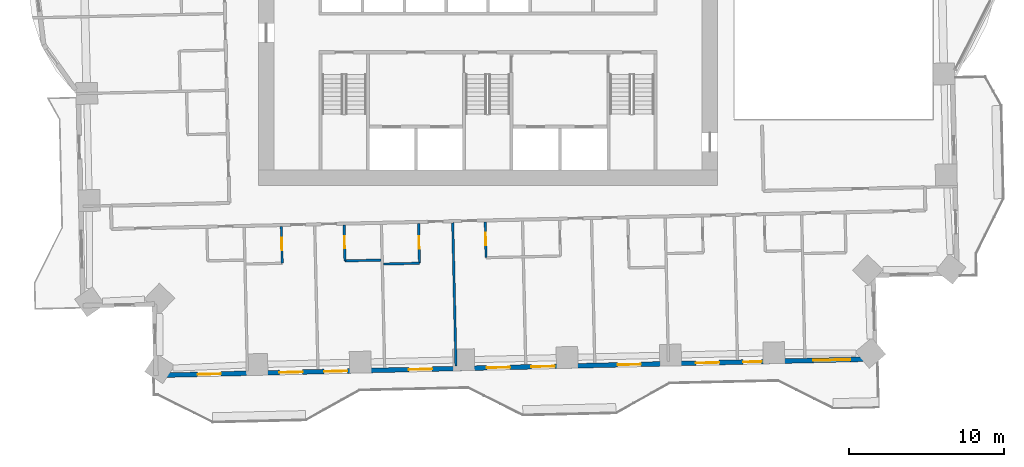
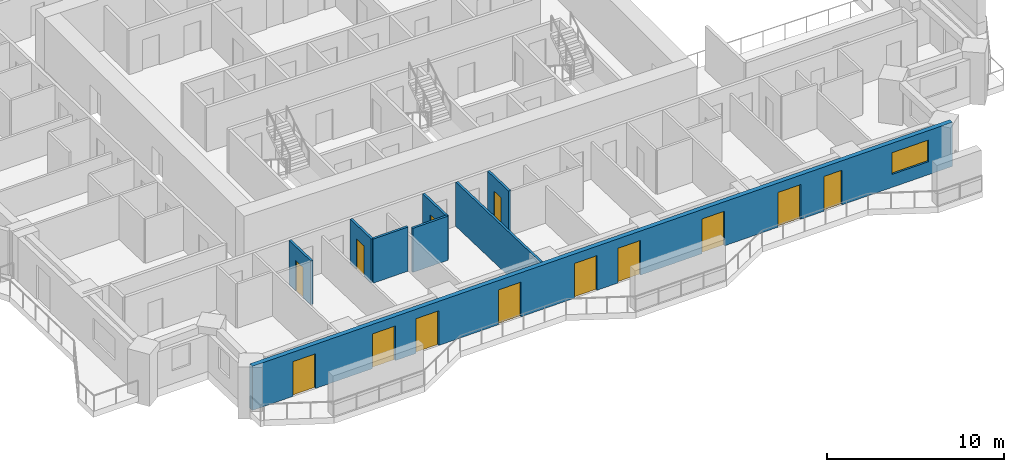
# One storey, part 6 of 17: 13 doors, 8 walls, 1 window, 14 openings.
"""IFC4 building model written with IfcOpenShell, lengths in metres."""

from ifc_helpers import new_model, si_unit, direction, frame, frame_2d, origin, place, context, subcontext, project, spatial, rectangle, extrude, material, layer, layer_set, type_object, element, fill, save


model = new_model("IFC4")

# Units and contexts
model_context = context("Model", 3, precision=1e-05, world=origin(), true_north=direction((0.0, 1.0)))
body_context = subcontext(model_context, "Body", "Model", "MODEL_VIEW")
ifc_project = project(units=[si_unit("LENGTHUNIT", "METRE"), si_unit("AREAUNIT", "SQUARE_METRE"), si_unit("VOLUMEUNIT", "CUBIC_METRE"), si_unit("PLANEANGLEUNIT", "RADIAN"), si_unit("MASSUNIT", "GRAM", prefix="KILO")], contexts=[model_context])

# Site, building, storey
site_placement = place(None, origin())
site = spatial("IfcSite", under=ifc_project, at=site_placement, CompositionType="ELEMENT")
building_placement = place(site_placement, origin())
building = spatial("IfcBuilding", under=site, at=building_placement, Name="Mangrove Gate Tower", CompositionType="ELEMENT")
storey_placement = place(building_placement, frame((0.0, 0.0, 93.699951171875)))
storey = spatial("IfcBuildingStorey", under=building, at=storey_placement, Name="L23", CompositionType="ELEMENT", Elevation=93.699951171875)

# Wall, openings, doors, window
ifc_material_1 = material(Name="Limestone", Category="masonry")
ifc_layer_1 = layer(ifc_material_1, 0.0400390625, Name="Limestone cladding")
ifc_material_2 = material(Name="Ventilated air gap")
ifc_layer_2 = layer(ifc_material_2, 0.0400390625, Name="Ventilated cavity")
ifc_material_3 = material(Name="Mineral wool insulation")
ifc_layer_3 = layer(ifc_material_3, 0.06005859375, Name="Insulation")
ifc_material_4 = material(Name="Breather membrane")
ifc_layer_4 = layer(ifc_material_4, 0.001953125, Name="Breather membrane")
ifc_material_5 = material(Name="Concrete C20/25 blockwork", Category="masonry")
ifc_layer_5 = layer(ifc_material_5, 0.14990234375, Name="Blockwork backing wall")
ifc_material_6 = material(Name="Gypsum plaster")
ifc_layer_6 = layer(ifc_material_6, 0.008056640625, Name="Internal plaster")
ifc_layer_set_1 = layer_set([ifc_layer_1, ifc_layer_2, ifc_layer_3, ifc_layer_4, ifc_layer_5, ifc_layer_6], Name="External wall 300 limestone cladding")
wall_type_1 = type_object("IfcWallType", Name="External wall 300 limestone cladding", PredefinedType="SOLIDWALL", material=ifc_layer_set_1)
wall_1_placement = place(storey_placement, frame((-21.408935546875, -24.029052734375, 0.0), z_axis=(0.0, 0.0, 1.0), x_axis=(0.999742634032, 0.022686244721, 0.0)))
wall_1 = element("IfcWall", 1, at=wall_1_placement, inside=storey, type_object=wall_type_1, Name="WALL-L23-S13", PredefinedType="SOLIDWALL", context=body_context, shape_type="SweptSolid", body=[
    extrude(rectangle(XDim=46.371826171875, YDim=0.300048828125, at=frame_2d((23.18603515625, 0.0))), origin(), (0.0, 0.0, 1.0), 3.050048828125),
])
opening_1_placement = place(wall_1_placement, frame((2.68603515625, 0.0, 0.0)))
opening_1 = element("IfcOpeningElement", 2, at=opening_1_placement, cuts=wall_1, Name="Opening BD1", PredefinedType="OPENING", context=body_context, shape_type="SweptSolid", body=[
    extrude(rectangle(XDim=1.5, YDim=2.39990234375, at=frame_2d((0.75, 1.199951171875))), frame((0.0, 0.159912109375, 0.0), z_axis=(0.0, -1.0, 0.0), x_axis=(1.0, 0.0, 0.0)), (0.0, 0.0, 1.0), 0.320068359375),
])
opening_2_placement = place(wall_1_placement, frame((7.958984375, 0.0, 0.0)))
opening_2 = element("IfcOpeningElement", 3, at=opening_2_placement, cuts=wall_1, Name="Opening BD1", PredefinedType="OPENING", context=body_context, shape_type="SweptSolid", body=[
    extrude(rectangle(XDim=1.5, YDim=2.39990234375, at=frame_2d((0.75, 1.199951171875))), frame((0.0, 0.159912109375, 0.0), z_axis=(0.0, -1.0, 0.0), x_axis=(1.0, 0.0, 0.0)), (0.0, 0.0, 1.0), 0.320068359375),
])
opening_3_placement = place(wall_1_placement, frame((10.842041015625, 0.0, 0.0)))
opening_3 = element("IfcOpeningElement", 4, at=opening_3_placement, cuts=wall_1, Name="Opening BD1", PredefinedType="OPENING", context=body_context, shape_type="SweptSolid", body=[
    extrude(rectangle(XDim=1.5, YDim=2.39990234375, at=frame_2d((0.75, 1.199951171875))), frame((0.0, 0.159912109375, 0.0), z_axis=(0.0, -1.0, 0.0), x_axis=(1.0, 0.0, 0.0)), (0.0, 0.0, 1.0), 0.320068359375),
])
opening_4_placement = place(wall_1_placement, frame((16.300048828125, 0.0, 0.0)))
opening_4 = element("IfcOpeningElement", 5, at=opening_4_placement, cuts=wall_1, Name="Opening BD1", PredefinedType="OPENING", context=body_context, shape_type="SweptSolid", body=[
    extrude(rectangle(XDim=1.5, YDim=2.39990234375, at=frame_2d((0.75, 1.199951171875))), frame((0.0, 0.159912109375, 0.0), z_axis=(0.0, -1.0, 0.0), x_axis=(1.0, 0.0, 0.0)), (0.0, 0.0, 1.0), 0.320068359375),
])
opening_5_placement = place(wall_1_placement, frame((21.325927734375, 0.0, 0.0)))
opening_5 = element("IfcOpeningElement", 6, at=opening_5_placement, cuts=wall_1, Name="Opening BD1", PredefinedType="OPENING", context=body_context, shape_type="SweptSolid", body=[
    extrude(rectangle(XDim=1.5, YDim=2.39990234375, at=frame_2d((0.75, 1.199951171875))), frame((0.0, 0.159912109375, 0.0), z_axis=(0.0, -1.0, 0.0), x_axis=(1.0, 0.0, 0.0)), (0.0, 0.0, 1.0), 0.320068359375),
])
opening_6_placement = place(wall_1_placement, frame((24.2099609375, 0.0, 0.0)))
opening_6 = element("IfcOpeningElement", 7, at=opening_6_placement, cuts=wall_1, Name="Opening BD1", PredefinedType="OPENING", context=body_context, shape_type="SweptSolid", body=[
    extrude(rectangle(XDim=1.5, YDim=2.39990234375, at=frame_2d((0.75, 1.199951171875))), frame((0.0, 0.159912109375, 0.0), z_axis=(0.0, -1.0, 0.0), x_axis=(1.0, 0.0, 0.0)), (0.0, 0.0, 1.0), 0.320068359375),
])
opening_7_placement = place(wall_1_placement, frame((29.76904296875, 0.0, 0.0)))
opening_7 = element("IfcOpeningElement", 8, at=opening_7_placement, cuts=wall_1, Name="Opening BD1", PredefinedType="OPENING", context=body_context, shape_type="SweptSolid", body=[
    extrude(rectangle(XDim=1.5, YDim=2.39990234375, at=frame_2d((0.75, 1.199951171875))), frame((0.0, 0.159912109375, 0.0), z_axis=(0.0, -1.0, 0.0), x_axis=(1.0, 0.0, 0.0)), (0.0, 0.0, 1.0), 0.320068359375),
])
opening_8_placement = place(wall_1_placement, frame((34.819091796875, 0.0, 0.0)))
opening_8 = element("IfcOpeningElement", 9, at=opening_8_placement, cuts=wall_1, Name="Opening BD1", PredefinedType="OPENING", context=body_context, shape_type="SweptSolid", body=[
    extrude(rectangle(XDim=1.5, YDim=2.39990234375, at=frame_2d((0.75, 1.199951171875))), frame((0.0, 0.159912109375, 0.0), z_axis=(0.0, -1.0, 0.0), x_axis=(1.0, 0.0, 0.0)), (0.0, 0.0, 1.0), 0.320068359375),
])
opening_9_placement = place(wall_1_placement, frame((37.85205078125, 0.0, 0.0)))
opening_9 = element("IfcOpeningElement", 10, at=opening_9_placement, cuts=wall_1, Name="Opening BD2", PredefinedType="OPENING", context=body_context, shape_type="SweptSolid", body=[
    extrude(rectangle(XDim=1.199951171875, YDim=2.39990234375, at=frame_2d((0.60009765625, 1.199951171875))), frame((0.0, 0.159912109375, 0.0), z_axis=(0.0, -1.0, 0.0), x_axis=(1.0, 0.0, 0.0)), (0.0, 0.0, 1.0), 0.320068359375),
])
opening_10_placement = place(wall_1_placement, frame((42.373046875, 0.0, 0.89990234375)))
opening_10 = element("IfcOpeningElement", 11, at=opening_10_placement, cuts=wall_1, Name="Opening W2", PredefinedType="OPENING", context=body_context, shape_type="SweptSolid", body=[
    extrude(rectangle(XDim=2.39990234375, YDim=1.5, at=frame_2d((1.199951171875, 0.75))), frame((0.0, 0.159912109375, 0.0), z_axis=(0.0, -1.0, 0.0), x_axis=(1.0, 0.0, 0.0)), (0.0, 0.0, 1.0), 0.320068359375),
])
ifc_material_7 = material(Name="Aluminium frame with laminated clear glass", Category="aluminium")
door_type_1 = type_object("IfcDoorType", Name="Balcony sliding door 1200x2400", OperationType="SLIDING_TO_LEFT", PredefinedType="DOOR", material=ifc_material_7)
door_1_placement = place(opening_9_placement, origin())
door_1 = element("IfcDoor", 12, at=door_1_placement, inside=storey, type_object=door_type_1, Name="DOOR-L23-S13-9", OperationType="SLIDING_TO_LEFT", OverallHeight=2.39990234375, OverallWidth=1.199951171875, PredefinedType="DOOR", context=body_context, shape_type="SweptSolid", body=[
    extrude(rectangle(XDim=1.199951171875, YDim=2.39990234375, at=frame_2d((0.60009765625, 1.199951171875))), frame((0.0, 0.02490234375, 0.0), z_axis=(0.0, -1.0, 0.0), x_axis=(1.0, 0.0, 0.0)), (0.0, 0.0, 1.0), 0.050048828125),
])
fill(opening_9, door_1)
ifc_material_8 = material(Name="Aluminium frame with laminated clear glass", Category="aluminium")
door_type_2 = type_object("IfcDoorType", Name="Balcony sliding door 1500x2400", OperationType="SLIDING_TO_LEFT", PredefinedType="DOOR", material=ifc_material_8)
door_2_placement = place(opening_1_placement, origin())
door_2 = element("IfcDoor", 13, at=door_2_placement, inside=storey, type_object=door_type_2, Name="DOOR-L23-S13-1", OperationType="SLIDING_TO_LEFT", OverallHeight=2.39990234375, OverallWidth=1.5, PredefinedType="DOOR", context=body_context, shape_type="SweptSolid", body=[
    extrude(rectangle(XDim=1.5, YDim=2.39990234375, at=frame_2d((0.75, 1.199951171875))), frame((0.0, 0.02490234375, 0.0), z_axis=(0.0, -1.0, 0.0), x_axis=(1.0, 0.0, 0.0)), (0.0, 0.0, 1.0), 0.050048828125),
])
fill(opening_1, door_2)
door_3_placement = place(opening_2_placement, origin())
door_3 = element("IfcDoor", 14, at=door_3_placement, inside=storey, type_object=door_type_2, Name="DOOR-L23-S13-2", OperationType="SLIDING_TO_LEFT", OverallHeight=2.39990234375, OverallWidth=1.5, PredefinedType="DOOR", context=body_context, shape_type="SweptSolid", body=[
    extrude(rectangle(XDim=1.5, YDim=2.39990234375, at=frame_2d((0.75, 1.199951171875))), frame((0.0, 0.02490234375, 0.0), z_axis=(0.0, -1.0, 0.0), x_axis=(1.0, 0.0, 0.0)), (0.0, 0.0, 1.0), 0.050048828125),
])
fill(opening_2, door_3)
door_4_placement = place(opening_3_placement, origin())
door_4 = element("IfcDoor", 15, at=door_4_placement, inside=storey, type_object=door_type_2, Name="DOOR-L23-S13-3", OperationType="SLIDING_TO_LEFT", OverallHeight=2.39990234375, OverallWidth=1.5, PredefinedType="DOOR", context=body_context, shape_type="SweptSolid", body=[
    extrude(rectangle(XDim=1.5, YDim=2.39990234375, at=frame_2d((0.75, 1.199951171875))), frame((0.0, 0.02490234375, 0.0), z_axis=(0.0, -1.0, 0.0), x_axis=(1.0, 0.0, 0.0)), (0.0, 0.0, 1.0), 0.050048828125),
])
fill(opening_3, door_4)
door_5_placement = place(opening_4_placement, origin())
door_5 = element("IfcDoor", 16, at=door_5_placement, inside=storey, type_object=door_type_2, Name="DOOR-L23-S13-4", OperationType="SLIDING_TO_LEFT", OverallHeight=2.39990234375, OverallWidth=1.5, PredefinedType="DOOR", context=body_context, shape_type="SweptSolid", body=[
    extrude(rectangle(XDim=1.5, YDim=2.39990234375, at=frame_2d((0.75, 1.199951171875))), frame((0.0, 0.02490234375, 0.0), z_axis=(0.0, -1.0, 0.0), x_axis=(1.0, 0.0, 0.0)), (0.0, 0.0, 1.0), 0.050048828125),
])
fill(opening_4, door_5)
door_6_placement = place(opening_5_placement, origin())
door_6 = element("IfcDoor", 17, at=door_6_placement, inside=storey, type_object=door_type_2, Name="DOOR-L23-S13-5", OperationType="SLIDING_TO_LEFT", OverallHeight=2.39990234375, OverallWidth=1.5, PredefinedType="DOOR", context=body_context, shape_type="SweptSolid", body=[
    extrude(rectangle(XDim=1.5, YDim=2.39990234375, at=frame_2d((0.75, 1.199951171875))), frame((0.0, 0.02490234375, 0.0), z_axis=(0.0, -1.0, 0.0), x_axis=(1.0, 0.0, 0.0)), (0.0, 0.0, 1.0), 0.050048828125),
])
fill(opening_5, door_6)
door_7_placement = place(opening_6_placement, origin())
door_7 = element("IfcDoor", 18, at=door_7_placement, inside=storey, type_object=door_type_2, Name="DOOR-L23-S13-6", OperationType="SLIDING_TO_LEFT", OverallHeight=2.39990234375, OverallWidth=1.5, PredefinedType="DOOR", context=body_context, shape_type="SweptSolid", body=[
    extrude(rectangle(XDim=1.5, YDim=2.39990234375, at=frame_2d((0.75, 1.199951171875))), frame((0.0, 0.02490234375, 0.0), z_axis=(0.0, -1.0, 0.0), x_axis=(1.0, 0.0, 0.0)), (0.0, 0.0, 1.0), 0.050048828125),
])
fill(opening_6, door_7)
door_8_placement = place(opening_7_placement, origin())
door_8 = element("IfcDoor", 19, at=door_8_placement, inside=storey, type_object=door_type_2, Name="DOOR-L23-S13-7", OperationType="SLIDING_TO_LEFT", OverallHeight=2.39990234375, OverallWidth=1.5, PredefinedType="DOOR", context=body_context, shape_type="SweptSolid", body=[
    extrude(rectangle(XDim=1.5, YDim=2.39990234375, at=frame_2d((0.75, 1.199951171875))), frame((0.0, 0.02490234375, 0.0), z_axis=(0.0, -1.0, 0.0), x_axis=(1.0, 0.0, 0.0)), (0.0, 0.0, 1.0), 0.050048828125),
])
fill(opening_7, door_8)
door_9_placement = place(opening_8_placement, origin())
door_9 = element("IfcDoor", 20, at=door_9_placement, inside=storey, type_object=door_type_2, Name="DOOR-L23-S13-8", OperationType="SLIDING_TO_LEFT", OverallHeight=2.39990234375, OverallWidth=1.5, PredefinedType="DOOR", context=body_context, shape_type="SweptSolid", body=[
    extrude(rectangle(XDim=1.5, YDim=2.39990234375, at=frame_2d((0.75, 1.199951171875))), frame((0.0, 0.02490234375, 0.0), z_axis=(0.0, -1.0, 0.0), x_axis=(1.0, 0.0, 0.0)), (0.0, 0.0, 1.0), 0.050048828125),
])
fill(opening_8, door_9)
ifc_material_9 = material(Name="Aluminium frame with double-glazed low-e glass", Category="aluminium")
window_type = type_object("IfcWindowType", Name="Corner room window 2400x1500", PartitioningType="DOUBLE_PANEL_VERTICAL", PredefinedType="WINDOW", material=ifc_material_9)
window_placement = place(opening_10_placement, origin())
window = element("IfcWindow", 21, at=window_placement, inside=storey, type_object=window_type, Name="WIN-L23-S13-10", OverallHeight=1.5, OverallWidth=2.39990234375, PartitioningType="DOUBLE_PANEL_VERTICAL", PredefinedType="WINDOW", context=body_context, shape_type="SweptSolid", body=[
    extrude(rectangle(XDim=2.39990234375, YDim=1.5, at=frame_2d((1.199951171875, 0.75))), frame((0.0, 0.030029296875, 0.0), z_axis=(0.0, -1.0, 0.0), x_axis=(1.0, 0.0, 0.0)), (0.0, 0.0, 1.0), 0.06005859375),
])
fill(opening_10, window)

# Walls
ifc_material_10 = material(Name="Gypsum board on steel stud, EI 60", Category="steel")
ifc_layer_7 = layer(ifc_material_10, 0.14990234375)
ifc_layer_set_2 = layer_set([ifc_layer_7], Name="Party wall 150 EI 60")
wall_type_2 = type_object("IfcWallType", Name="Party wall 150 EI 60", PredefinedType="PARTITIONING", material=ifc_layer_set_2)
wall_2_placement = place(storey_placement, frame((-2.072021484375, -23.43994140625, 0.0), z_axis=(0.0, 0.0, 1.0), x_axis=(-0.022697424684, 0.999742380272, 0.0)))
element("IfcWall", 22, at=wall_2_placement, inside=storey, type_object=wall_type_2, Name="WALL-L23-004", PredefinedType="PARTITIONING", context=body_context, shape_type="SweptSolid", body=[
    extrude(rectangle(XDim=9.25048828125, YDim=0.14990234375, at=frame_2d((4.625244140625, 0.0))), origin(), (0.0, 0.0, 1.0), 3.050048828125),
])
wall_3_placement = place(storey_placement, frame((-6.742919921875, -16.85400390625, 0.0), z_axis=(0.0, 0.0, 1.0), x_axis=(0.999740260747, 0.02279059109, 0.0)))
element("IfcWall", 23, at=wall_3_placement, inside=storey, type_object=wall_type_2, Name="WALL-L23-012", PredefinedType="PARTITIONING", context=body_context, shape_type="SweptSolid", body=[
    extrude(rectangle(XDim=2.324462890625, YDim=0.14990234375, at=frame_2d((1.162109375, 0.0))), origin(), (0.0, 0.0, 1.0), 3.050048828125),
])

# Wall, opening, door
wall_4_placement = place(storey_placement, frame((-4.423095703125, -16.801025390625, 0.0), z_axis=(0.0, 0.0, 1.0), x_axis=(-0.022604411713, 0.999744487642, 0.0)))
wall_4 = element("IfcWall", 24, at=wall_4_placement, inside=storey, type_object=wall_type_2, Name="WALL-L23-013", PredefinedType="PARTITIONING", context=body_context, shape_type="SweptSolid", body=[
    extrude(rectangle(XDim=2.559814453125, YDim=0.14990234375, at=frame_2d((1.27978515625, 0.0))), origin(), (0.0, 0.0, 1.0), 3.050048828125),
])
opening_11_placement = place(wall_4_placement, frame((0.929931640625, 0.0, 0.0)))
opening_11 = element("IfcOpeningElement", 25, at=opening_11_placement, cuts=wall_4, Name="Opening ED", PredefinedType="OPENING", context=body_context, shape_type="SweptSolid", body=[
    extrude(rectangle(XDim=0.800048828125, YDim=2.10009765625, at=frame_2d((0.39990234375, 1.050048828125))), frame((0.0, 0.0849609375, 0.0), z_axis=(0.0, -1.0, 0.0), x_axis=(1.0, 0.0, 0.0)), (0.0, 0.0, 1.0), 0.169921875),
])
ifc_material_11 = material(Name="Timber door leaf", Category="wood")
door_type_3 = type_object("IfcDoorType", Name="En-suite door 800", OperationType="SINGLE_SWING_LEFT", PredefinedType="DOOR", material=ifc_material_11)
door_10_placement = place(opening_11_placement, origin())
door_10 = element("IfcDoor", 26, at=door_10_placement, inside=storey, type_object=door_type_3, Name="DOOR-L23-ENS-c103", OperationType="SINGLE_SWING_LEFT", OverallHeight=2.10009765625, OverallWidth=0.800048828125, PredefinedType="DOOR", context=body_context, shape_type="SweptSolid", body=[
    extrude(rectangle(XDim=0.800048828125, YDim=2.10009765625, at=frame_2d((0.39990234375, 1.050048828125))), frame((0.0, 0.02490234375, 0.0), z_axis=(0.0, -1.0, 0.0), x_axis=(1.0, 0.0, 0.0)), (0.0, 0.0, 1.0), 0.050048828125),
])
fill(opening_11, door_10)

wall_5_placement = place(storey_placement, frame((-13.27490234375, -16.802001953125, 0.0), z_axis=(0.0, 0.0, 1.0), x_axis=(-0.02297054684, 0.999736142178, 0.0)))
wall_5 = element("IfcWall", 27, at=wall_5_placement, inside=storey, type_object=wall_type_2, Name="WALL-L23-017", PredefinedType="PARTITIONING", context=body_context, shape_type="SweptSolid", body=[
    extrude(rectangle(XDim=2.359619140625, YDim=0.14990234375, at=frame_2d((1.1796875, 0.0))), origin(), (0.0, 0.0, 1.0), 3.050048828125),
])
opening_12_placement = place(wall_5_placement, frame((0.830078125, 0.0, 0.0)))
opening_12 = element("IfcOpeningElement", 28, at=opening_12_placement, cuts=wall_5, Name="Opening ED", PredefinedType="OPENING", context=body_context, shape_type="SweptSolid", body=[
    extrude(rectangle(XDim=0.800048828125, YDim=2.10009765625, at=frame_2d((0.39990234375, 1.050048828125))), frame((0.0, 0.0849609375, 0.0), z_axis=(0.0, -1.0, 0.0), x_axis=(1.0, 0.0, 0.0)), (0.0, 0.0, 1.0), 0.169921875),
])
door_11_placement = place(opening_12_placement, origin())
door_11 = element("IfcDoor", 29, at=door_11_placement, inside=storey, type_object=door_type_3, Name="DOOR-L23-ENS-c101", OperationType="SINGLE_SWING_LEFT", OverallHeight=2.10009765625, OverallWidth=0.800048828125, PredefinedType="DOOR", context=body_context, shape_type="SweptSolid", body=[
    extrude(rectangle(XDim=0.800048828125, YDim=2.10009765625, at=frame_2d((0.39990234375, 1.050048828125))), frame((0.0, 0.02490234375, 0.0), z_axis=(0.0, -1.0, 0.0), x_axis=(1.0, 0.0, 0.0)), (0.0, 0.0, 1.0), 0.050048828125),
])
fill(opening_12, door_11)

wall_6_placement = place(storey_placement, frame((-9.22802734375, -16.64990234375, 0.0), z_axis=(0.0, 0.0, 1.0), x_axis=(-0.022615284993, 0.999744241736, 0.0)))
wall_6 = element("IfcWall", 30, at=wall_6_placement, inside=storey, type_object=wall_type_2, Name="WALL-L23-018", PredefinedType="PARTITIONING", context=body_context, shape_type="SweptSolid", body=[
    extrude(rectangle(XDim=2.29931640625, YDim=0.14990234375, at=frame_2d((1.149658203125, 0.0))), origin(), (0.0, 0.0, 1.0), 3.050048828125),
])
opening_13_placement = place(wall_6_placement, frame((0.800048828125, 0.0, 0.0)))
opening_13 = element("IfcOpeningElement", 31, at=opening_13_placement, cuts=wall_6, Name="Opening ED", PredefinedType="OPENING", context=body_context, shape_type="SweptSolid", body=[
    extrude(rectangle(XDim=0.800048828125, YDim=2.10009765625, at=frame_2d((0.39990234375, 1.050048828125))), frame((0.0, 0.0849609375, 0.0), z_axis=(0.0, -1.0, 0.0), x_axis=(1.0, 0.0, 0.0)), (0.0, 0.0, 1.0), 0.169921875),
])
door_12_placement = place(opening_13_placement, origin())
door_12 = element("IfcDoor", 32, at=door_12_placement, inside=storey, type_object=door_type_3, Name="DOOR-L23-ENS-c102", OperationType="SINGLE_SWING_RIGHT", OverallHeight=2.10009765625, OverallWidth=0.800048828125, PredefinedType="DOOR", context=body_context, shape_type="SweptSolid", body=[
    extrude(rectangle(XDim=0.800048828125, YDim=2.10009765625, at=frame_2d((0.39990234375, 1.050048828125))), frame((0.0, 0.02490234375, 0.0), z_axis=(0.0, -1.0, 0.0), x_axis=(1.0, 0.0, 0.0)), (0.0, 0.0, 1.0), 0.050048828125),
])
fill(opening_13, door_12)

# Wall
wall_7_placement = place(storey_placement, frame((-9.22412109375, -16.64990234375, 0.0), z_axis=(0.0, 0.0, 1.0), x_axis=(0.999750007167, 0.022358961731, 0.0)))
element("IfcWall", 33, at=wall_7_placement, inside=storey, type_object=wall_type_2, Name="WALL-L23-019", PredefinedType="PARTITIONING", context=body_context, shape_type="SweptSolid", body=[
    extrude(rectangle(XDim=2.32568359375, YDim=0.14990234375, at=frame_2d((1.162841796875, 0.0))), origin(), (0.0, 0.0, 1.0), 3.050048828125),
])

# Wall, opening, door
wall_8_placement = place(storey_placement, frame((-0.1298828125, -16.444091796875, 0.0), z_axis=(0.0, 0.0, 1.0), x_axis=(-0.022603288534, 0.999744513037, 0.0)))
wall_8 = element("IfcWall", 34, at=wall_8_placement, inside=storey, type_object=wall_type_2, Name="WALL-L23-020", PredefinedType="PARTITIONING", context=body_context, shape_type="SweptSolid", body=[
    extrude(rectangle(XDim=2.300537109375, YDim=0.14990234375, at=frame_2d((1.150390625, 0.0))), origin(), (0.0, 0.0, 1.0), 3.050048828125),
])
opening_14_placement = place(wall_8_placement, frame((0.800048828125, 0.0, 0.0)))
opening_14 = element("IfcOpeningElement", 35, at=opening_14_placement, cuts=wall_8, Name="Opening ED", PredefinedType="OPENING", context=body_context, shape_type="SweptSolid", body=[
    extrude(rectangle(XDim=0.800048828125, YDim=2.10009765625, at=frame_2d((0.39990234375, 1.050048828125))), frame((0.0, 0.0849609375, 0.0), z_axis=(0.0, -1.0, 0.0), x_axis=(1.0, 0.0, 0.0)), (0.0, 0.0, 1.0), 0.169921875),
])
door_13_placement = place(opening_14_placement, origin())
door_13 = element("IfcDoor", 36, at=door_13_placement, inside=storey, type_object=door_type_3, Name="DOOR-L23-ENS-c104", OperationType="SINGLE_SWING_RIGHT", OverallHeight=2.10009765625, OverallWidth=0.800048828125, PredefinedType="DOOR", context=body_context, shape_type="SweptSolid", body=[
    extrude(rectangle(XDim=0.800048828125, YDim=2.10009765625, at=frame_2d((0.39990234375, 1.050048828125))), frame((0.0, 0.02490234375, 0.0), z_axis=(0.0, -1.0, 0.0), x_axis=(1.0, 0.0, 0.0)), (0.0, 0.0, 1.0), 0.050048828125),
])
fill(opening_14, door_13)

save(model, "model.ifc")
